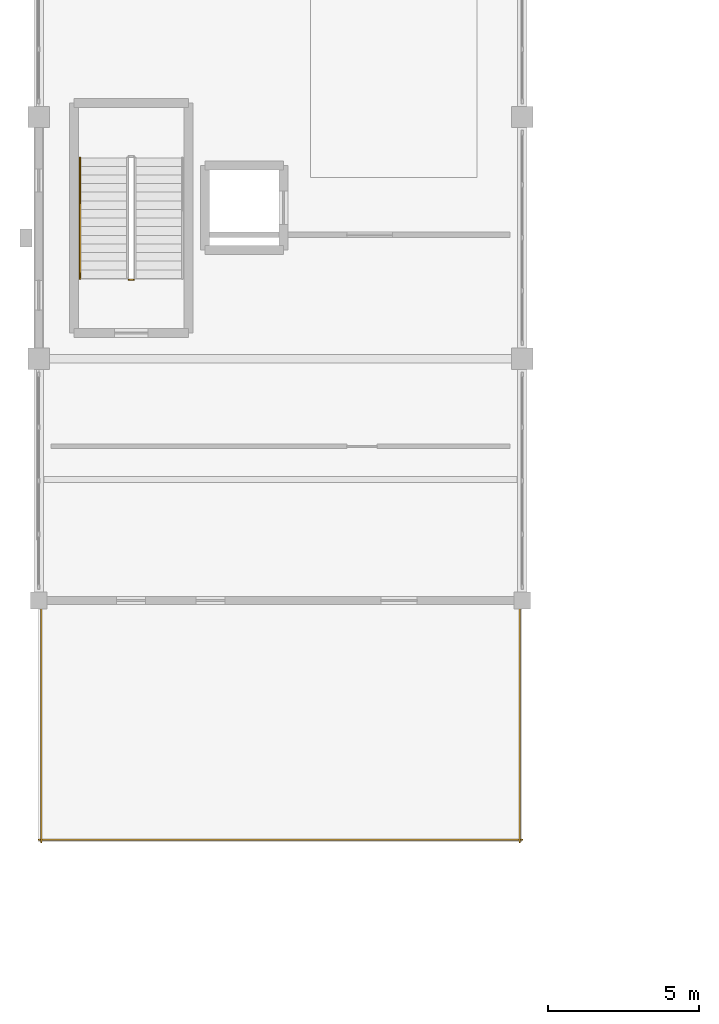
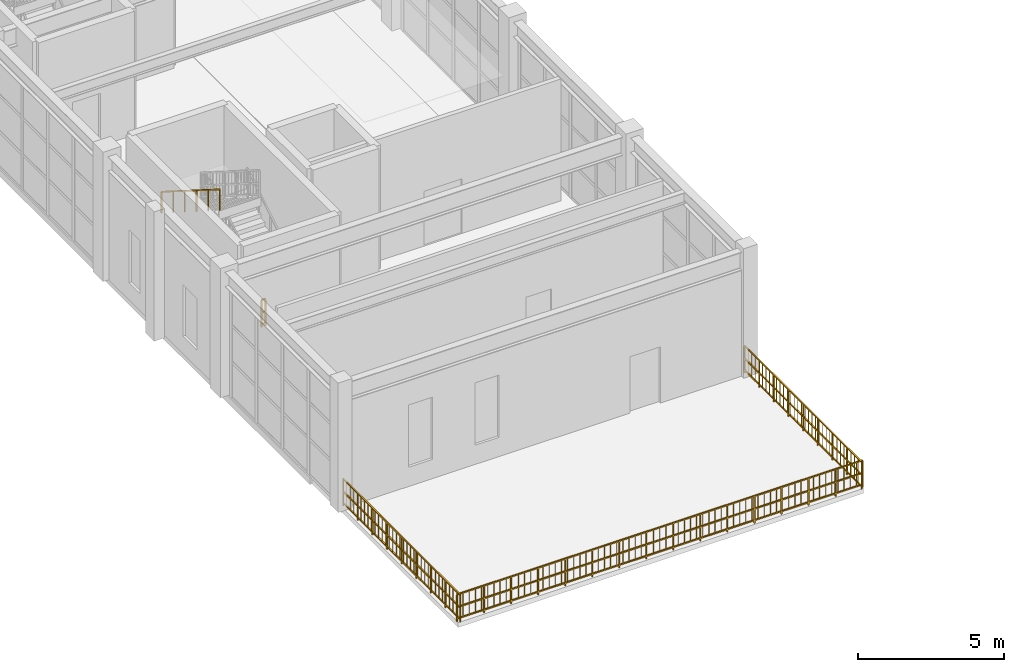
# One storey, part 73 of 82: 5 railings.
"""IFC4 building model written with IfcOpenShell, lengths in metres."""

from ifc_helpers import new_model, si_unit, direction, frame, origin, origin_2d, place, context, subcontext, project, spatial, rectangle, extrude, material, layer, layer_set, type_object, element, save


model = new_model("IFC4")

# Units and contexts
model_context = context("Model", 3, precision=1e-05, world=origin(), true_north=direction((0.0, 1.0)))
body_context = subcontext(model_context, "Body", "Model", "MODEL_VIEW")
ifc_project = project(units=[si_unit("LENGTHUNIT", "METRE"), si_unit("AREAUNIT", "SQUARE_METRE"), si_unit("VOLUMEUNIT", "CUBIC_METRE"), si_unit("PLANEANGLEUNIT", "RADIAN"), si_unit("MASSUNIT", "GRAM", prefix="KILO")], contexts=[model_context])

# Site, building, storey
site_placement = place(None, origin())
site = spatial("IfcSite", under=ifc_project, at=site_placement, CompositionType="ELEMENT")
building_placement = place(site_placement, origin())
building = spatial("IfcBuilding", under=site, at=building_placement, Name="Serraluz Foothill Cableway Terminal", CompositionType="ELEMENT")
storey_placement = place(building_placement, frame((0.0, 0.0, 9.60009765625)))
storey = spatial("IfcBuildingStorey", under=building, at=storey_placement, Name="L02", CompositionType="ELEMENT", Elevation=9.60009765625)

# Railings
ifc_material_1 = material(Name="Steel ASTM A572 Grade 50", Category="steel")
ifc_layer_1 = layer(ifc_material_1, 0.06005859375, Name="Steel ASTM A572 Grade 50", Category="steel")
ifc_layer_set_1 = layer_set([ifc_layer_1], Name="Steel ASTM A572 Grade 50")
railing_type_1 = type_object("IfcRailingType", Name="TYP-RL-BAL-1150", PredefinedType="BALUSTRADE", material=ifc_layer_set_1)
railing_1_placement = place(storey_placement, frame((0.080078125, 24.0, 0.0)))
element("IfcRailing", 1, at=railing_1_placement, inside=storey, type_object=railing_type_1, Name="BALUSTRADE BAL-TER-L02-V5-1", PredefinedType="BALUSTRADE", context=body_context, shape_type="SweptSolid", body=[
    extrude(rectangle(XDim=0.048095703125, YDim=0.048095703125, at=origin_2d()), frame((0.0, 0.0, 1.1259765625), z_axis=(0.0, -1.0, 0.0), x_axis=(1.0, 0.0, 0.0)), (0.0, 0.0, 1.0), 8.0),
    extrude(rectangle(XDim=0.048095703125, YDim=0.048095703125, at=origin_2d()), frame((0.0, 0.0, 0.597900390625), z_axis=(0.0, -1.0, 0.0), x_axis=(1.0, 0.0, 0.0)), (0.0, 0.0, 1.0), 8.0),
    extrude(rectangle(XDim=0.048095703125, YDim=0.048095703125, at=origin_2d()), frame((0.0, 0.0, 0.1201171875), z_axis=(0.0, -1.0, 0.0), x_axis=(1.0, 0.0, 0.0)), (0.0, 0.0, 1.0), 8.0),
    extrude(rectangle(XDim=0.02001953125, YDim=0.02001953125, at=origin_2d()), frame((0.0, -0.242431640625, 0.1201171875)), (0.0, 0.0, 1.0), 0.981689453125),
    extrude(rectangle(XDim=0.02001953125, YDim=0.02001953125, at=origin_2d()), frame((0.0, -0.48486328125, 0.1201171875)), (0.0, 0.0, 1.0), 0.981689453125),
    extrude(rectangle(XDim=0.02001953125, YDim=0.02001953125, at=origin_2d()), frame((0.0, -0.727294921875, 0.1201171875)), (0.0, 0.0, 1.0), 0.981689453125),
    extrude(rectangle(XDim=0.02001953125, YDim=0.02001953125, at=origin_2d()), frame((0.0, -1.212158203125, 0.1201171875)), (0.0, 0.0, 1.0), 0.981689453125),
    extrude(rectangle(XDim=0.02001953125, YDim=0.02001953125, at=origin_2d()), frame((0.0, -1.45458984375, 0.1201171875)), (0.0, 0.0, 1.0), 0.981689453125),
    extrude(rectangle(XDim=0.02001953125, YDim=0.02001953125, at=origin_2d()), frame((0.0, -1.697021484375, 0.1201171875)), (0.0, 0.0, 1.0), 0.981689453125),
    extrude(rectangle(XDim=0.02001953125, YDim=0.02001953125, at=origin_2d()), frame((0.0, -1.939453125, 0.1201171875)), (0.0, 0.0, 1.0), 0.981689453125),
    extrude(rectangle(XDim=0.02001953125, YDim=0.02001953125, at=origin_2d()), frame((0.0, -2.181884765625, 0.1201171875)), (0.0, 0.0, 1.0), 0.981689453125),
    extrude(rectangle(XDim=0.02001953125, YDim=0.02001953125, at=origin_2d()), frame((0.0, -2.42431640625, 0.1201171875)), (0.0, 0.0, 1.0), 0.981689453125),
    extrude(rectangle(XDim=0.02001953125, YDim=0.02001953125, at=origin_2d()), frame((0.0, -2.666748046875, 0.1201171875)), (0.0, 0.0, 1.0), 0.981689453125),
    extrude(rectangle(XDim=0.02001953125, YDim=0.02001953125, at=origin_2d()), frame((0.0, -2.9091796875, 0.1201171875)), (0.0, 0.0, 1.0), 0.981689453125),
    extrude(rectangle(XDim=0.02001953125, YDim=0.02001953125, at=origin_2d()), frame((0.0, -3.151611328125, 0.1201171875)), (0.0, 0.0, 1.0), 0.981689453125),
    extrude(rectangle(XDim=0.02001953125, YDim=0.02001953125, at=origin_2d()), frame((0.0, -3.39404296875, 0.1201171875)), (0.0, 0.0, 1.0), 0.981689453125),
    extrude(rectangle(XDim=0.02001953125, YDim=0.02001953125, at=origin_2d()), frame((0.0, -3.636474609375, 0.1201171875)), (0.0, 0.0, 1.0), 0.981689453125),
    extrude(rectangle(XDim=0.02001953125, YDim=0.02001953125, at=origin_2d()), frame((0.0, -3.87890625, 0.1201171875)), (0.0, 0.0, 1.0), 0.981689453125),
    extrude(rectangle(XDim=0.02001953125, YDim=0.02001953125, at=origin_2d()), frame((0.0, -4.12109375, 0.1201171875)), (0.0, 0.0, 1.0), 0.981689453125),
    extrude(rectangle(XDim=0.02001953125, YDim=0.02001953125, at=origin_2d()), frame((0.0, -4.363525390625, 0.1201171875)), (0.0, 0.0, 1.0), 0.981689453125),
    extrude(rectangle(XDim=0.02001953125, YDim=0.02001953125, at=origin_2d()), frame((0.0, -4.60595703125, 0.1201171875)), (0.0, 0.0, 1.0), 0.981689453125),
    extrude(rectangle(XDim=0.02001953125, YDim=0.02001953125, at=origin_2d()), frame((0.0, -4.848388671875, 0.1201171875)), (0.0, 0.0, 1.0), 0.981689453125),
    extrude(rectangle(XDim=0.02001953125, YDim=0.02001953125, at=origin_2d()), frame((0.0, -5.0908203125, 0.1201171875)), (0.0, 0.0, 1.0), 0.981689453125),
    extrude(rectangle(XDim=0.02001953125, YDim=0.02001953125, at=origin_2d()), frame((0.0, -5.333251953125, 0.1201171875)), (0.0, 0.0, 1.0), 0.981689453125),
    extrude(rectangle(XDim=0.02001953125, YDim=0.02001953125, at=origin_2d()), frame((0.0, -5.57568359375, 0.1201171875)), (0.0, 0.0, 1.0), 0.981689453125),
    extrude(rectangle(XDim=0.02001953125, YDim=0.02001953125, at=origin_2d()), frame((0.0, -5.818115234375, 0.1201171875)), (0.0, 0.0, 1.0), 0.981689453125),
    extrude(rectangle(XDim=0.02001953125, YDim=0.02001953125, at=origin_2d()), frame((0.0, -6.060546875, 0.1201171875)), (0.0, 0.0, 1.0), 0.981689453125),
    extrude(rectangle(XDim=0.02001953125, YDim=0.02001953125, at=origin_2d()), frame((0.0, -6.302978515625, 0.1201171875)), (0.0, 0.0, 1.0), 0.981689453125),
    extrude(rectangle(XDim=0.02001953125, YDim=0.02001953125, at=origin_2d()), frame((0.0, -6.54541015625, 0.1201171875)), (0.0, 0.0, 1.0), 0.981689453125),
    extrude(rectangle(XDim=0.02001953125, YDim=0.02001953125, at=origin_2d()), frame((0.0, -6.787841796875, 0.1201171875)), (0.0, 0.0, 1.0), 0.981689453125),
    extrude(rectangle(XDim=0.02001953125, YDim=0.02001953125, at=origin_2d()), frame((0.0, -7.272705078125, 0.1201171875)), (0.0, 0.0, 1.0), 0.981689453125),
    extrude(rectangle(XDim=0.02001953125, YDim=0.02001953125, at=origin_2d()), frame((0.0, -7.51513671875, 0.1201171875)), (0.0, 0.0, 1.0), 0.981689453125),
    extrude(rectangle(XDim=0.02001953125, YDim=0.02001953125, at=origin_2d()), frame((0.0, -7.757568359375, 0.1201171875)), (0.0, 0.0, 1.0), 0.981689453125),
    extrude(rectangle(XDim=0.0439453125, YDim=0.0439453125, at=origin_2d()), origin(), (0.0, 0.0, 1.0), 1.101806640625),
    extrude(rectangle(XDim=0.0439453125, YDim=0.0439453125, at=origin_2d()), frame((0.0, -1.0, 0.0)), (0.0, 0.0, 1.0), 1.101806640625),
    extrude(rectangle(XDim=0.0439453125, YDim=0.0439453125, at=origin_2d()), frame((0.0, -2.0, 0.0)), (0.0, 0.0, 1.0), 1.101806640625),
    extrude(rectangle(XDim=0.0439453125, YDim=0.0439453125, at=origin_2d()), frame((0.0, -3.0, 0.0)), (0.0, 0.0, 1.0), 1.101806640625),
    extrude(rectangle(XDim=0.0439453125, YDim=0.0439453125, at=origin_2d()), frame((0.0, -4.0, 0.0)), (0.0, 0.0, 1.0), 1.101806640625),
    extrude(rectangle(XDim=0.0439453125, YDim=0.0439453125, at=origin_2d()), frame((0.0, -5.0, 0.0)), (0.0, 0.0, 1.0), 1.101806640625),
    extrude(rectangle(XDim=0.0439453125, YDim=0.0439453125, at=origin_2d()), frame((0.0, -6.0, 0.0)), (0.0, 0.0, 1.0), 1.101806640625),
    extrude(rectangle(XDim=0.0439453125, YDim=0.0439453125, at=origin_2d()), frame((0.0, -7.0, 0.0)), (0.0, 0.0, 1.0), 1.101806640625),
    extrude(rectangle(XDim=0.0439453125, YDim=0.0439453125, at=origin_2d()), frame((0.0, -8.0, 0.0)), (0.0, 0.0, 1.0), 1.101806640625),
])
railing_2_placement = place(storey_placement, frame((0.0, 16.080078125, 0.0)))
element("IfcRailing", 2, at=railing_2_placement, inside=storey, type_object=railing_type_1, Name="BALUSTRADE BAL-TER-L02-V5-2", PredefinedType="BALUSTRADE", context=body_context, shape_type="SweptSolid", body=[
    extrude(rectangle(XDim=0.048095703125, YDim=0.048095703125, at=origin_2d()), frame((0.0, 0.0, 1.1259765625), z_axis=(1.0, 0.0, 0.0), x_axis=(0.0, 1.0, 0.0)), (0.0, 0.0, 1.0), 16.0),
    extrude(rectangle(XDim=0.048095703125, YDim=0.048095703125, at=origin_2d()), frame((0.0, 0.0, 0.597900390625), z_axis=(1.0, 0.0, 0.0), x_axis=(0.0, 1.0, 0.0)), (0.0, 0.0, 1.0), 16.0),
    extrude(rectangle(XDim=0.048095703125, YDim=0.048095703125, at=origin_2d()), frame((0.0, 0.0, 0.1201171875), z_axis=(1.0, 0.0, 0.0), x_axis=(0.0, 1.0, 0.0)), (0.0, 0.0, 1.0), 16.0),
    extrude(rectangle(XDim=0.02001953125, YDim=0.02001953125, at=origin_2d()), frame((0.242431640625, 0.0, 0.1201171875)), (0.0, 0.0, 1.0), 0.981689453125),
    extrude(rectangle(XDim=0.02001953125, YDim=0.02001953125, at=origin_2d()), frame((0.48486328125, 0.0, 0.1201171875)), (0.0, 0.0, 1.0), 0.981689453125),
    extrude(rectangle(XDim=0.02001953125, YDim=0.02001953125, at=origin_2d()), frame((0.727294921875, 0.0, 0.1201171875)), (0.0, 0.0, 1.0), 0.981689453125),
    extrude(rectangle(XDim=0.02001953125, YDim=0.02001953125, at=origin_2d()), frame((0.9697265625, 0.0, 0.1201171875)), (0.0, 0.0, 1.0), 0.981689453125),
    extrude(rectangle(XDim=0.02001953125, YDim=0.02001953125, at=origin_2d()), frame((1.212158203125, 0.0, 0.1201171875)), (0.0, 0.0, 1.0), 0.981689453125),
    extrude(rectangle(XDim=0.02001953125, YDim=0.02001953125, at=origin_2d()), frame((1.45458984375, 0.0, 0.1201171875)), (0.0, 0.0, 1.0), 0.981689453125),
    extrude(rectangle(XDim=0.02001953125, YDim=0.02001953125, at=origin_2d()), frame((1.697021484375, 0.0, 0.1201171875)), (0.0, 0.0, 1.0), 0.981689453125),
    extrude(rectangle(XDim=0.02001953125, YDim=0.02001953125, at=origin_2d()), frame((1.939453125, 0.0, 0.1201171875)), (0.0, 0.0, 1.0), 0.981689453125),
    extrude(rectangle(XDim=0.02001953125, YDim=0.02001953125, at=origin_2d()), frame((2.42431640625, 0.0, 0.1201171875)), (0.0, 0.0, 1.0), 0.981689453125),
    extrude(rectangle(XDim=0.02001953125, YDim=0.02001953125, at=origin_2d()), frame((2.666748046875, 0.0, 0.1201171875)), (0.0, 0.0, 1.0), 0.981689453125),
    extrude(rectangle(XDim=0.02001953125, YDim=0.02001953125, at=origin_2d()), frame((2.9091796875, 0.0, 0.1201171875)), (0.0, 0.0, 1.0), 0.981689453125),
    extrude(rectangle(XDim=0.02001953125, YDim=0.02001953125, at=origin_2d()), frame((3.39404296875, 0.0, 0.1201171875)), (0.0, 0.0, 1.0), 0.981689453125),
    extrude(rectangle(XDim=0.02001953125, YDim=0.02001953125, at=origin_2d()), frame((3.636474609375, 0.0, 0.1201171875)), (0.0, 0.0, 1.0), 0.981689453125),
    extrude(rectangle(XDim=0.02001953125, YDim=0.02001953125, at=origin_2d()), frame((3.87890625, 0.0, 0.1201171875)), (0.0, 0.0, 1.0), 0.981689453125),
    extrude(rectangle(XDim=0.02001953125, YDim=0.02001953125, at=origin_2d()), frame((4.12109375, 0.0, 0.1201171875)), (0.0, 0.0, 1.0), 0.981689453125),
    extrude(rectangle(XDim=0.02001953125, YDim=0.02001953125, at=origin_2d()), frame((4.363525390625, 0.0, 0.1201171875)), (0.0, 0.0, 1.0), 0.981689453125),
    extrude(rectangle(XDim=0.02001953125, YDim=0.02001953125, at=origin_2d()), frame((4.60595703125, 0.0, 0.1201171875)), (0.0, 0.0, 1.0), 0.981689453125),
    extrude(rectangle(XDim=0.02001953125, YDim=0.02001953125, at=origin_2d()), frame((4.848388671875, 0.0, 0.1201171875)), (0.0, 0.0, 1.0), 0.981689453125),
    extrude(rectangle(XDim=0.02001953125, YDim=0.02001953125, at=origin_2d()), frame((5.0908203125, 0.0, 0.1201171875)), (0.0, 0.0, 1.0), 0.981689453125),
    extrude(rectangle(XDim=0.02001953125, YDim=0.02001953125, at=origin_2d()), frame((5.57568359375, 0.0, 0.1201171875)), (0.0, 0.0, 1.0), 0.981689453125),
    extrude(rectangle(XDim=0.02001953125, YDim=0.02001953125, at=origin_2d()), frame((5.818115234375, 0.0, 0.1201171875)), (0.0, 0.0, 1.0), 0.981689453125),
    extrude(rectangle(XDim=0.02001953125, YDim=0.02001953125, at=origin_2d()), frame((6.060546875, 0.0, 0.1201171875)), (0.0, 0.0, 1.0), 0.981689453125),
    extrude(rectangle(XDim=0.02001953125, YDim=0.02001953125, at=origin_2d()), frame((6.302978515625, 0.0, 0.1201171875)), (0.0, 0.0, 1.0), 0.981689453125),
    extrude(rectangle(XDim=0.02001953125, YDim=0.02001953125, at=origin_2d()), frame((6.54541015625, 0.0, 0.1201171875)), (0.0, 0.0, 1.0), 0.981689453125),
    extrude(rectangle(XDim=0.02001953125, YDim=0.02001953125, at=origin_2d()), frame((6.787841796875, 0.0, 0.1201171875)), (0.0, 0.0, 1.0), 0.981689453125),
    extrude(rectangle(XDim=0.02001953125, YDim=0.02001953125, at=origin_2d()), frame((7.0302734375, 0.0, 0.1201171875)), (0.0, 0.0, 1.0), 0.981689453125),
    extrude(rectangle(XDim=0.02001953125, YDim=0.02001953125, at=origin_2d()), frame((7.272705078125, 0.0, 0.1201171875)), (0.0, 0.0, 1.0), 0.981689453125),
    extrude(rectangle(XDim=0.02001953125, YDim=0.02001953125, at=origin_2d()), frame((7.757568359375, 0.0, 0.1201171875)), (0.0, 0.0, 1.0), 0.981689453125),
    extrude(rectangle(XDim=0.02001953125, YDim=0.02001953125, at=origin_2d()), frame((8.0, 0.0, 0.1201171875)), (0.0, 0.0, 1.0), 0.981689453125),
    extrude(rectangle(XDim=0.02001953125, YDim=0.02001953125, at=origin_2d()), frame((8.242431640625, 0.0, 0.1201171875)), (0.0, 0.0, 1.0), 0.981689453125),
    extrude(rectangle(XDim=0.02001953125, YDim=0.02001953125, at=origin_2d()), frame((8.727294921875, 0.0, 0.1201171875)), (0.0, 0.0, 1.0), 0.981689453125),
    extrude(rectangle(XDim=0.02001953125, YDim=0.02001953125, at=origin_2d()), frame((8.9697265625, 0.0, 0.1201171875)), (0.0, 0.0, 1.0), 0.981689453125),
    extrude(rectangle(XDim=0.02001953125, YDim=0.02001953125, at=origin_2d()), frame((9.212158203125, 0.0, 0.1201171875)), (0.0, 0.0, 1.0), 0.981689453125),
    extrude(rectangle(XDim=0.02001953125, YDim=0.02001953125, at=origin_2d()), frame((9.45458984375, 0.0, 0.1201171875)), (0.0, 0.0, 1.0), 0.981689453125),
    extrude(rectangle(XDim=0.02001953125, YDim=0.02001953125, at=origin_2d()), frame((9.697021484375, 0.0, 0.1201171875)), (0.0, 0.0, 1.0), 0.981689453125),
    extrude(rectangle(XDim=0.02001953125, YDim=0.02001953125, at=origin_2d()), frame((9.939453125, 0.0, 0.1201171875)), (0.0, 0.0, 1.0), 0.981689453125),
    extrude(rectangle(XDim=0.02001953125, YDim=0.02001953125, at=origin_2d()), frame((10.181884765625, 0.0, 0.1201171875)), (0.0, 0.0, 1.0), 0.981689453125),
    extrude(rectangle(XDim=0.02001953125, YDim=0.02001953125, at=origin_2d()), frame((10.42431640625, 0.0, 0.1201171875)), (0.0, 0.0, 1.0), 0.981689453125),
    extrude(rectangle(XDim=0.02001953125, YDim=0.02001953125, at=origin_2d()), frame((10.9091796875, 0.0, 0.1201171875)), (0.0, 0.0, 1.0), 0.981689453125),
    extrude(rectangle(XDim=0.02001953125, YDim=0.02001953125, at=origin_2d()), frame((11.151611328125, 0.0, 0.1201171875)), (0.0, 0.0, 1.0), 0.981689453125),
    extrude(rectangle(XDim=0.02001953125, YDim=0.02001953125, at=origin_2d()), frame((11.39404296875, 0.0, 0.1201171875)), (0.0, 0.0, 1.0), 0.981689453125),
    extrude(rectangle(XDim=0.02001953125, YDim=0.02001953125, at=origin_2d()), frame((11.636474609375, 0.0, 0.1201171875)), (0.0, 0.0, 1.0), 0.981689453125),
    extrude(rectangle(XDim=0.02001953125, YDim=0.02001953125, at=origin_2d()), frame((11.87890625, 0.0, 0.1201171875)), (0.0, 0.0, 1.0), 0.981689453125),
    extrude(rectangle(XDim=0.02001953125, YDim=0.02001953125, at=origin_2d()), frame((12.12109375, 0.0, 0.1201171875)), (0.0, 0.0, 1.0), 0.981689453125),
    extrude(rectangle(XDim=0.02001953125, YDim=0.02001953125, at=origin_2d()), frame((12.363525390625, 0.0, 0.1201171875)), (0.0, 0.0, 1.0), 0.981689453125),
    extrude(rectangle(XDim=0.02001953125, YDim=0.02001953125, at=origin_2d()), frame((12.60595703125, 0.0, 0.1201171875)), (0.0, 0.0, 1.0), 0.981689453125),
    extrude(rectangle(XDim=0.02001953125, YDim=0.02001953125, at=origin_2d()), frame((13.0908203125, 0.0, 0.1201171875)), (0.0, 0.0, 1.0), 0.981689453125),
    extrude(rectangle(XDim=0.02001953125, YDim=0.02001953125, at=origin_2d()), frame((13.333251953125, 0.0, 0.1201171875)), (0.0, 0.0, 1.0), 0.981689453125),
    extrude(rectangle(XDim=0.02001953125, YDim=0.02001953125, at=origin_2d()), frame((13.57568359375, 0.0, 0.1201171875)), (0.0, 0.0, 1.0), 0.981689453125),
    extrude(rectangle(XDim=0.02001953125, YDim=0.02001953125, at=origin_2d()), frame((14.060546875, 0.0, 0.1201171875)), (0.0, 0.0, 1.0), 0.981689453125),
    extrude(rectangle(XDim=0.02001953125, YDim=0.02001953125, at=origin_2d()), frame((14.302978515625, 0.0, 0.1201171875)), (0.0, 0.0, 1.0), 0.981689453125),
    extrude(rectangle(XDim=0.02001953125, YDim=0.02001953125, at=origin_2d()), frame((14.54541015625, 0.0, 0.1201171875)), (0.0, 0.0, 1.0), 0.981689453125),
    extrude(rectangle(XDim=0.02001953125, YDim=0.02001953125, at=origin_2d()), frame((14.787841796875, 0.0, 0.1201171875)), (0.0, 0.0, 1.0), 0.981689453125),
    extrude(rectangle(XDim=0.02001953125, YDim=0.02001953125, at=origin_2d()), frame((15.0302734375, 0.0, 0.1201171875)), (0.0, 0.0, 1.0), 0.981689453125),
    extrude(rectangle(XDim=0.02001953125, YDim=0.02001953125, at=origin_2d()), frame((15.272705078125, 0.0, 0.1201171875)), (0.0, 0.0, 1.0), 0.981689453125),
    extrude(rectangle(XDim=0.02001953125, YDim=0.02001953125, at=origin_2d()), frame((15.51513671875, 0.0, 0.1201171875)), (0.0, 0.0, 1.0), 0.981689453125),
    extrude(rectangle(XDim=0.02001953125, YDim=0.02001953125, at=origin_2d()), frame((15.757568359375, 0.0, 0.1201171875)), (0.0, 0.0, 1.0), 0.981689453125),
    extrude(rectangle(XDim=0.0439453125, YDim=0.0439453125, at=origin_2d()), origin(), (0.0, 0.0, 1.0), 1.101806640625),
    extrude(rectangle(XDim=0.0439453125, YDim=0.0439453125, at=origin_2d()), frame((1.066650390625, 0.0, 0.0)), (0.0, 0.0, 1.0), 1.101806640625),
    extrude(rectangle(XDim=0.0439453125, YDim=0.0439453125, at=origin_2d()), frame((2.13330078125, 0.0, 0.0)), (0.0, 0.0, 1.0), 1.101806640625),
    extrude(rectangle(XDim=0.0439453125, YDim=0.0439453125, at=origin_2d()), frame((3.199951171875, 0.0, 0.0)), (0.0, 0.0, 1.0), 1.101806640625),
    extrude(rectangle(XDim=0.0439453125, YDim=0.0439453125, at=origin_2d()), frame((4.2666015625, 0.0, 0.0)), (0.0, 0.0, 1.0), 1.101806640625),
    extrude(rectangle(XDim=0.0439453125, YDim=0.0439453125, at=origin_2d()), frame((5.333251953125, 0.0, 0.0)), (0.0, 0.0, 1.0), 1.101806640625),
    extrude(rectangle(XDim=0.0439453125, YDim=0.0439453125, at=origin_2d()), frame((6.39990234375, 0.0, 0.0)), (0.0, 0.0, 1.0), 1.101806640625),
    extrude(rectangle(XDim=0.0439453125, YDim=0.0439453125, at=origin_2d()), frame((7.466552734375, 0.0, 0.0)), (0.0, 0.0, 1.0), 1.101806640625),
    extrude(rectangle(XDim=0.0439453125, YDim=0.0439453125, at=origin_2d()), frame((8.533447265625, 0.0, 0.0)), (0.0, 0.0, 1.0), 1.101806640625),
    extrude(rectangle(XDim=0.0439453125, YDim=0.0439453125, at=origin_2d()), frame((9.60009765625, 0.0, 0.0)), (0.0, 0.0, 1.0), 1.101806640625),
    extrude(rectangle(XDim=0.0439453125, YDim=0.0439453125, at=origin_2d()), frame((10.666748046875, 0.0, 0.0)), (0.0, 0.0, 1.0), 1.101806640625),
    extrude(rectangle(XDim=0.0439453125, YDim=0.0439453125, at=origin_2d()), frame((11.7333984375, 0.0, 0.0)), (0.0, 0.0, 1.0), 1.101806640625),
    extrude(rectangle(XDim=0.0439453125, YDim=0.0439453125, at=origin_2d()), frame((12.800048828125, 0.0, 0.0)), (0.0, 0.0, 1.0), 1.101806640625),
    extrude(rectangle(XDim=0.0439453125, YDim=0.0439453125, at=origin_2d()), frame((13.86669921875, 0.0, 0.0)), (0.0, 0.0, 1.0), 1.101806640625),
    extrude(rectangle(XDim=0.0439453125, YDim=0.0439453125, at=origin_2d()), frame((14.933349609375, 0.0, 0.0)), (0.0, 0.0, 1.0), 1.101806640625),
    extrude(rectangle(XDim=0.0439453125, YDim=0.0439453125, at=origin_2d()), frame((16.0, 0.0, 0.0)), (0.0, 0.0, 1.0), 1.101806640625),
])
railing_3_placement = place(storey_placement, frame((15.919921875, 16.0, 0.0)))
element("IfcRailing", 3, at=railing_3_placement, inside=storey, type_object=railing_type_1, Name="BALUSTRADE BAL-TER-L02-V5-3", PredefinedType="BALUSTRADE", context=body_context, shape_type="SweptSolid", body=[
    extrude(rectangle(XDim=0.048095703125, YDim=0.048095703125, at=origin_2d()), frame((0.0, 0.0, 1.1259765625), z_axis=(0.0, 1.0, 0.0), x_axis=(-1.0, 0.0, 0.0)), (0.0, 0.0, 1.0), 8.0),
    extrude(rectangle(XDim=0.048095703125, YDim=0.048095703125, at=origin_2d()), frame((0.0, 0.0, 0.597900390625), z_axis=(0.0, 1.0, 0.0), x_axis=(-1.0, 0.0, 0.0)), (0.0, 0.0, 1.0), 8.0),
    extrude(rectangle(XDim=0.048095703125, YDim=0.048095703125, at=origin_2d()), frame((0.0, 0.0, 0.1201171875), z_axis=(0.0, 1.0, 0.0), x_axis=(-1.0, 0.0, 0.0)), (0.0, 0.0, 1.0), 8.0),
    extrude(rectangle(XDim=0.02001953125, YDim=0.02001953125, at=origin_2d()), frame((0.0, 0.242431640625, 0.1201171875)), (0.0, 0.0, 1.0), 0.981689453125),
    extrude(rectangle(XDim=0.02001953125, YDim=0.02001953125, at=origin_2d()), frame((0.0, 0.48486328125, 0.1201171875)), (0.0, 0.0, 1.0), 0.981689453125),
    extrude(rectangle(XDim=0.02001953125, YDim=0.02001953125, at=origin_2d()), frame((0.0, 0.727294921875, 0.1201171875)), (0.0, 0.0, 1.0), 0.981689453125),
    extrude(rectangle(XDim=0.02001953125, YDim=0.02001953125, at=origin_2d()), frame((0.0, 1.212158203125, 0.1201171875)), (0.0, 0.0, 1.0), 0.981689453125),
    extrude(rectangle(XDim=0.02001953125, YDim=0.02001953125, at=origin_2d()), frame((0.0, 1.45458984375, 0.1201171875)), (0.0, 0.0, 1.0), 0.981689453125),
    extrude(rectangle(XDim=0.02001953125, YDim=0.02001953125, at=origin_2d()), frame((0.0, 1.697021484375, 0.1201171875)), (0.0, 0.0, 1.0), 0.981689453125),
    extrude(rectangle(XDim=0.02001953125, YDim=0.02001953125, at=origin_2d()), frame((0.0, 1.939453125, 0.1201171875)), (0.0, 0.0, 1.0), 0.981689453125),
    extrude(rectangle(XDim=0.02001953125, YDim=0.02001953125, at=origin_2d()), frame((0.0, 2.181884765625, 0.1201171875)), (0.0, 0.0, 1.0), 0.981689453125),
    extrude(rectangle(XDim=0.02001953125, YDim=0.02001953125, at=origin_2d()), frame((0.0, 2.42431640625, 0.1201171875)), (0.0, 0.0, 1.0), 0.981689453125),
    extrude(rectangle(XDim=0.02001953125, YDim=0.02001953125, at=origin_2d()), frame((0.0, 2.666748046875, 0.1201171875)), (0.0, 0.0, 1.0), 0.981689453125),
    extrude(rectangle(XDim=0.02001953125, YDim=0.02001953125, at=origin_2d()), frame((0.0, 2.9091796875, 0.1201171875)), (0.0, 0.0, 1.0), 0.981689453125),
    extrude(rectangle(XDim=0.02001953125, YDim=0.02001953125, at=origin_2d()), frame((0.0, 3.151611328125, 0.1201171875)), (0.0, 0.0, 1.0), 0.981689453125),
    extrude(rectangle(XDim=0.02001953125, YDim=0.02001953125, at=origin_2d()), frame((0.0, 3.39404296875, 0.1201171875)), (0.0, 0.0, 1.0), 0.981689453125),
    extrude(rectangle(XDim=0.02001953125, YDim=0.02001953125, at=origin_2d()), frame((0.0, 3.636474609375, 0.1201171875)), (0.0, 0.0, 1.0), 0.981689453125),
    extrude(rectangle(XDim=0.02001953125, YDim=0.02001953125, at=origin_2d()), frame((0.0, 3.87890625, 0.1201171875)), (0.0, 0.0, 1.0), 0.981689453125),
    extrude(rectangle(XDim=0.02001953125, YDim=0.02001953125, at=origin_2d()), frame((0.0, 4.12109375, 0.1201171875)), (0.0, 0.0, 1.0), 0.981689453125),
    extrude(rectangle(XDim=0.02001953125, YDim=0.02001953125, at=origin_2d()), frame((0.0, 4.363525390625, 0.1201171875)), (0.0, 0.0, 1.0), 0.981689453125),
    extrude(rectangle(XDim=0.02001953125, YDim=0.02001953125, at=origin_2d()), frame((0.0, 4.60595703125, 0.1201171875)), (0.0, 0.0, 1.0), 0.981689453125),
    extrude(rectangle(XDim=0.02001953125, YDim=0.02001953125, at=origin_2d()), frame((0.0, 4.848388671875, 0.1201171875)), (0.0, 0.0, 1.0), 0.981689453125),
    extrude(rectangle(XDim=0.02001953125, YDim=0.02001953125, at=origin_2d()), frame((0.0, 5.0908203125, 0.1201171875)), (0.0, 0.0, 1.0), 0.981689453125),
    extrude(rectangle(XDim=0.02001953125, YDim=0.02001953125, at=origin_2d()), frame((0.0, 5.333251953125, 0.1201171875)), (0.0, 0.0, 1.0), 0.981689453125),
    extrude(rectangle(XDim=0.02001953125, YDim=0.02001953125, at=origin_2d()), frame((0.0, 5.57568359375, 0.1201171875)), (0.0, 0.0, 1.0), 0.981689453125),
    extrude(rectangle(XDim=0.02001953125, YDim=0.02001953125, at=origin_2d()), frame((0.0, 5.818115234375, 0.1201171875)), (0.0, 0.0, 1.0), 0.981689453125),
    extrude(rectangle(XDim=0.02001953125, YDim=0.02001953125, at=origin_2d()), frame((0.0, 6.060546875, 0.1201171875)), (0.0, 0.0, 1.0), 0.981689453125),
    extrude(rectangle(XDim=0.02001953125, YDim=0.02001953125, at=origin_2d()), frame((0.0, 6.302978515625, 0.1201171875)), (0.0, 0.0, 1.0), 0.981689453125),
    extrude(rectangle(XDim=0.02001953125, YDim=0.02001953125, at=origin_2d()), frame((0.0, 6.54541015625, 0.1201171875)), (0.0, 0.0, 1.0), 0.981689453125),
    extrude(rectangle(XDim=0.02001953125, YDim=0.02001953125, at=origin_2d()), frame((0.0, 6.787841796875, 0.1201171875)), (0.0, 0.0, 1.0), 0.981689453125),
    extrude(rectangle(XDim=0.02001953125, YDim=0.02001953125, at=origin_2d()), frame((0.0, 7.272705078125, 0.1201171875)), (0.0, 0.0, 1.0), 0.981689453125),
    extrude(rectangle(XDim=0.02001953125, YDim=0.02001953125, at=origin_2d()), frame((0.0, 7.51513671875, 0.1201171875)), (0.0, 0.0, 1.0), 0.981689453125),
    extrude(rectangle(XDim=0.02001953125, YDim=0.02001953125, at=origin_2d()), frame((0.0, 7.757568359375, 0.1201171875)), (0.0, 0.0, 1.0), 0.981689453125),
    extrude(rectangle(XDim=0.0439453125, YDim=0.0439453125, at=origin_2d()), origin(), (0.0, 0.0, 1.0), 1.101806640625),
    extrude(rectangle(XDim=0.0439453125, YDim=0.0439453125, at=origin_2d()), frame((0.0, 1.0, 0.0)), (0.0, 0.0, 1.0), 1.101806640625),
    extrude(rectangle(XDim=0.0439453125, YDim=0.0439453125, at=origin_2d()), frame((0.0, 2.0, 0.0)), (0.0, 0.0, 1.0), 1.101806640625),
    extrude(rectangle(XDim=0.0439453125, YDim=0.0439453125, at=origin_2d()), frame((0.0, 3.0, 0.0)), (0.0, 0.0, 1.0), 1.101806640625),
    extrude(rectangle(XDim=0.0439453125, YDim=0.0439453125, at=origin_2d()), frame((0.0, 4.0, 0.0)), (0.0, 0.0, 1.0), 1.101806640625),
    extrude(rectangle(XDim=0.0439453125, YDim=0.0439453125, at=origin_2d()), frame((0.0, 5.0, 0.0)), (0.0, 0.0, 1.0), 1.101806640625),
    extrude(rectangle(XDim=0.0439453125, YDim=0.0439453125, at=origin_2d()), frame((0.0, 6.0, 0.0)), (0.0, 0.0, 1.0), 1.101806640625),
    extrude(rectangle(XDim=0.0439453125, YDim=0.0439453125, at=origin_2d()), frame((0.0, 7.0, 0.0)), (0.0, 0.0, 1.0), 1.101806640625),
    extrude(rectangle(XDim=0.0439453125, YDim=0.0439453125, at=origin_2d()), frame((0.0, 8.0, 0.0)), (0.0, 0.0, 1.0), 1.101806640625),
])
ifc_layer_2 = layer(ifc_material_1, 0.054931640625, Name="Steel ASTM A572 Grade 50", Category="steel")
ifc_layer_set_2 = layer_set([ifc_layer_2], Name="Steel ASTM A572 Grade 50")
railing_type_2 = type_object("IfcRailingType", Name="TYP-RL-GRD-1150", PredefinedType="GUARDRAIL", material=ifc_layer_set_2)
railing_4_placement = place(storey_placement, frame((3.139892578125, 34.610107421875, 0.0)))
element("IfcRailing", 4, at=railing_4_placement, inside=storey, type_object=railing_type_2, Name="L02 ST-02 stair guard 4", PredefinedType="GUARDRAIL", context=body_context, shape_type="SweptSolid", body=[
    extrude(rectangle(XDim=0.048095703125, YDim=0.048095703125, at=origin_2d()), frame((0.0, 0.0, 1.1259765625), z_axis=(-1.0, 0.0, 0.0), x_axis=(0.0, -1.0, 0.0)), (0.0, 0.0, 1.0), 0.159912109375),
    extrude(rectangle(XDim=0.048095703125, YDim=0.048095703125, at=origin_2d()), frame((0.0, 0.0, 0.597900390625), z_axis=(-1.0, 0.0, 0.0), x_axis=(0.0, -1.0, 0.0)), (0.0, 0.0, 1.0), 0.159912109375),
    extrude(rectangle(XDim=0.048095703125, YDim=0.048095703125, at=origin_2d()), frame((0.0, 0.0, 0.1201171875), z_axis=(-1.0, 0.0, 0.0), x_axis=(0.0, -1.0, 0.0)), (0.0, 0.0, 1.0), 0.159912109375),
    extrude(rectangle(XDim=0.0439453125, YDim=0.0439453125, at=origin_2d()), origin(), (0.0, 0.0, 1.0), 1.101806640625),
    extrude(rectangle(XDim=0.0439453125, YDim=0.0439453125, at=origin_2d()), frame((-0.159912109375, 0.0, 0.0)), (0.0, 0.0, 1.0), 1.101806640625),
])
ifc_material_2 = material(Name="Architectural bronze alloy C28000", Category="aluminium")
ifc_layer_3 = layer(ifc_material_2, 0.048095703125, Name="Architectural bronze alloy C28000", Category="aluminium")
ifc_layer_set_3 = layer_set([ifc_layer_3], Name="Architectural bronze alloy C28000")
railing_type_3 = type_object("IfcRailingType", Name="TYP-RL-HND-920", PredefinedType="HANDRAIL", material=ifc_layer_set_3)
railing_5_placement = place(storey_placement, frame((1.3701171875, 38.64990234375, 2.8798828125)))
element("IfcRailing", 5, at=railing_5_placement, inside=storey, type_object=railing_type_3, Name="L02 ST-02 stair handrail 2", PredefinedType="HANDRAIL", context=body_context, shape_type="SweptSolid", body=[
    extrude(rectangle(XDim=0.048095703125, YDim=0.048095703125, at=origin_2d()), frame((0.0, 0.0, 0.8759765625), z_axis=(0.0, -0.845486444383, 0.533996884227), x_axis=(1.0, 0.0, 0.0)), (0.0, 0.0, 1.0), 4.71923828125),
    extrude(rectangle(XDim=0.0439453125, YDim=0.0439453125, at=origin_2d()), origin(), (0.0, 0.0, 1.0), 0.851806640625),
    extrude(rectangle(XDim=0.0439453125, YDim=0.0439453125, at=origin_2d()), frame((0.0, -0.798095703125, 0.50390625)), (0.0, 0.0, 1.0), 0.851806640625),
    extrude(rectangle(XDim=0.0439453125, YDim=0.0439453125, at=origin_2d()), frame((0.0, -1.595947265625, 1.008056640625)), (0.0, 0.0, 1.0), 0.851806640625),
    extrude(rectangle(XDim=0.0439453125, YDim=0.0439453125, at=origin_2d()), frame((0.0, -2.39404296875, 1.511962890625)), (0.0, 0.0, 1.0), 0.851806640625),
    extrude(rectangle(XDim=0.0439453125, YDim=0.0439453125, at=origin_2d()), frame((0.0, -3.19189453125, 2.01611328125)), (0.0, 0.0, 1.0), 0.851806640625),
    extrude(rectangle(XDim=0.0439453125, YDim=0.0439453125, at=origin_2d()), frame((0.0, -3.989990234375, 2.52001953125)), (0.0, 0.0, 1.0), 0.851806640625),
])

save(model, "model.ifc")
